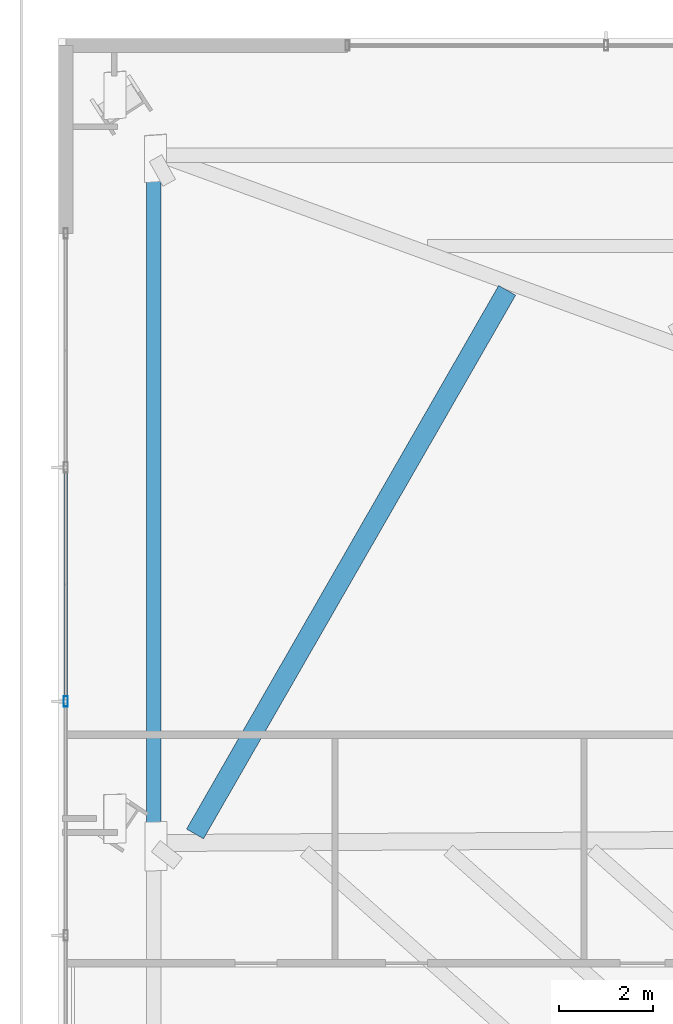
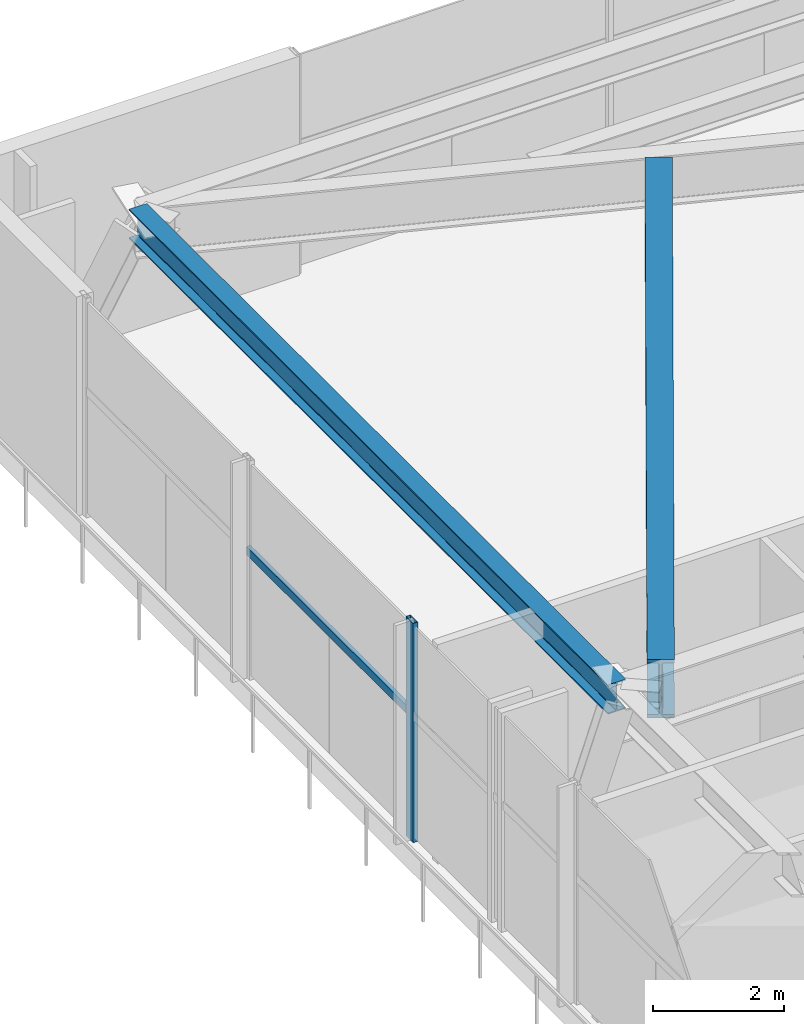
# One storey, part 8 of 33: 2 beams, 2 members, 1 element without a shape of its own.
"""IFC4 building model written with IfcOpenShell, lengths in metres."""

from ifc_helpers import new_model, si_unit, direction, frame, origin, origin_2d, place, context, subcontext, project, spatial, hollow_rectangle, i_section, extrude, source, transform, mapped, material, material_profile, profile_set, type_object, type_shapes, element, aggregate, save


model = new_model("IFC4")

# Units and contexts
model_context = context("Model", 3, precision=1e-05, world=origin(), true_north=direction((0.0, 1.0)))
body_context = subcontext(model_context, "Body", "Model", "MODEL_VIEW")
ifc_project = project(units=[si_unit("LENGTHUNIT", "METRE"), si_unit("AREAUNIT", "SQUARE_METRE"), si_unit("VOLUMEUNIT", "CUBIC_METRE"), si_unit("PLANEANGLEUNIT", "RADIAN"), si_unit("MASSUNIT", "GRAM", prefix="KILO")], contexts=[model_context])

# Site, building, storey
site_placement = place(None, origin())
site = spatial("IfcSite", under=ifc_project, at=site_placement, CompositionType="ELEMENT")
building_placement = place(site_placement, origin())
building = spatial("IfcBuilding", under=site, at=building_placement, Name="Astriad Promenade Condominiums", CompositionType="ELEMENT")
storey_placement = place(building_placement, frame((0.0, 0.0, 9.5)))
storey = spatial("IfcBuildingStorey", under=building, at=storey_placement, Name="L02", CompositionType="ELEMENT", Elevation=9.5)

# Beams
ifc_material_1 = material(Name="Steel ASTM A992 Grade 50", Category="steel")
ifc_material_profile_1 = material_profile(ifc_material_1, i_section(OverallWidth=0.3134765625, OverallDepth=0.54638671875, WebThickness=0.013916015625, FlangeThickness=0.022216796875, FilletRadius=0.0166015625, at=origin_2d()), Name="W21X111")
ifc_profile_set_1 = profile_set([ifc_material_profile_1], Name="Steel ASTM A992 Grade 50")
beam_type_1 = type_object("IfcBeamType", Name="STEEL SPANDREL BEAM W21X111", PredefinedType="SPANDREL", material=ifc_profile_set_1)
shared_shape_1 = source(origin(), body_context, "Body", "SweptSolid", [
    extrude(i_section(OverallWidth=0.3134765625, OverallDepth=0.54638671875, WebThickness=0.013916015625, FlangeThickness=0.022216796875, FilletRadius=0.0166015625, at=origin_2d()), origin(), (0.0, 0.0, 1.0), 14.593505859375),
])
type_shapes(beam_type_1, [shared_shape_1])
beam_1_placement = place(storey_placement, frame((4.61962890625, 31.873779296875, 3.806884765625), z_axis=(0.0, -1.0, 0.0), x_axis=(1.0, 0.0, 0.0)))
element("IfcBeam", 1, at=beam_1_placement, inside=storey, type_object=beam_type_1, Name="Perimeter Spandrel Beam SP-W2-L02", PredefinedType="SPANDREL", context=body_context, shape_type="MappedRepresentation", body=[
    mapped(shared_shape_1, transform((0.0, 0.0, 0.0), scale=1.0)),
])
ifc_material_profile_2 = material_profile(ifc_material_1, i_section(OverallWidth=0.4169921875, OverallDepth=1.093505859375, WebThickness=0.0390625, FlangeThickness=0.070068359375, FilletRadius=0.025390625, at=origin_2d()), Name="W40X503")
ifc_profile_set_2 = profile_set([ifc_material_profile_2], Name="Steel ASTM A992 Grade 50")
beam_type_2 = type_object("IfcBeamType", Name="STEEL TRANSFER GIRDER W40X503", PredefinedType="BEAM", material=ifc_profile_set_2)
shared_shape_2 = source(origin(), body_context, "Body", "SweptSolid", [
    extrude(i_section(OverallWidth=0.4169921875, OverallDepth=1.093505859375, WebThickness=0.0390625, FlangeThickness=0.070068359375, FilletRadius=0.025390625, at=origin_2d()), origin(), (0.0, 0.0, 1.0), 13.33984375),
])
type_shapes(beam_type_2, [shared_shape_2])
beam_2_placement = place(storey_placement, frame((12.14404296875, 29.0380859375, 3.533203125), z_axis=(-0.497986556878, -0.867184749156, 0.0), x_axis=(0.867184749156, -0.497986556878, 0.0)))
element("IfcBeam", 2, at=beam_2_placement, inside=storey, type_object=beam_type_2, Name="Transfer Splice Carrier TRM-SP-PC11-L02", PredefinedType="BEAM", context=body_context, shape_type="MappedRepresentation", body=[
    mapped(shared_shape_2, transform((0.0, 0.0, 0.0), scale=1.0)),
])

# Curtain wall, members
ifc_material_2 = material(Name="Anodised aluminium Black Dark Glass Unitised", Category="aluminium")
curtain_wall_type = type_object("IfcCurtainWallType", Name="CW-POD-DARK", PredefinedType="USERDEFINED", material=ifc_material_2)
curtain_wall_placement = place(storey_placement, origin())
curtain_wall = element("IfcCurtainWall", 3, at=curtain_wall_placement, inside=storey, type_object=curtain_wall_type, Name="CW-L02-W", ObjectType="UNITISED_CURTAIN_WALL", PredefinedType="USERDEFINED")
ifc_material_3 = material(Name="Anodised aluminium 6063-T6 Black", Category="aluminium")
ifc_material_profile_3 = material_profile(ifc_material_3, hollow_rectangle(XDim=0.0849609375, YDim=0.219970703125, WallThickness=0.0048828125, at=origin_2d()), Name="ALU-MUL-85X220")
ifc_profile_set_3 = profile_set([ifc_material_profile_3], Name="Anodised aluminium 6063-T6 Black")
member_type_1 = type_object("IfcMemberType", Name="MUL-ALU-MUL-85X220", PredefinedType="MULLION", material=ifc_profile_set_3)
shared_shape_3 = source(origin(), body_context, "Body", "SweptSolid", [
    extrude(hollow_rectangle(XDim=0.0849609375, YDim=0.219970703125, WallThickness=0.0048828125, at=origin_2d()), origin(), (0.0, 0.0, 1.0), 4.080078125),
])
type_shapes(member_type_1, [shared_shape_3])
member_1_placement = place(storey_placement, frame((2.75, 20.2900390625, 0.0), z_axis=(0.0, 0.0, 1.0), x_axis=(1.0, 0.0, 0.0)))
member_1 = element("IfcMember", 4, at=member_1_placement, type_object=member_type_1, Name="CW-L02-W-MUL-03", PredefinedType="MULLION", context=body_context, shape_type="MappedRepresentation", body=[
    mapped(shared_shape_3, transform((0.0, 0.0, 0.0), scale=1.0)),
])
ifc_material_profile_4 = material_profile(ifc_material_3, hollow_rectangle(XDim=0.074951171875, YDim=0.14990234375, WallThickness=0.004150390625, at=origin_2d()), Name="ALU-TRN-75X150")
ifc_profile_set_4 = profile_set([ifc_material_profile_4], Name="Anodised aluminium 6063-T6 Black")
member_type_2 = type_object("IfcMemberType", Name="TRN-ALU-TRN-75X150", PredefinedType="USERDEFINED", material=ifc_profile_set_4)
shared_shape_4 = source(origin(), body_context, "Body", "SweptSolid", [
    extrude(hollow_rectangle(XDim=0.074951171875, YDim=0.14990234375, WallThickness=0.004150390625, at=origin_2d()), origin(), (0.0, 0.0, 1.0), 4.97998046875),
])
type_shapes(member_type_2, [shared_shape_4])
member_2_placement = place(storey_placement, frame((2.75, 20.2900390625, 2.35009765625), z_axis=(0.0, 1.0, 0.0), x_axis=(-1.0, 0.0, 0.0)))
member_2 = element("IfcMember", 5, at=member_2_placement, type_object=member_type_2, Name="CW-L02-W-TRN-03-0", ObjectType="TRANSOM", PredefinedType="USERDEFINED", context=body_context, shape_type="MappedRepresentation", body=[
    mapped(shared_shape_4, transform((0.0, 0.0, 0.0), scale=1.0)),
])
aggregate(curtain_wall, [member_1, member_2])

save(model, "model.ifc")
